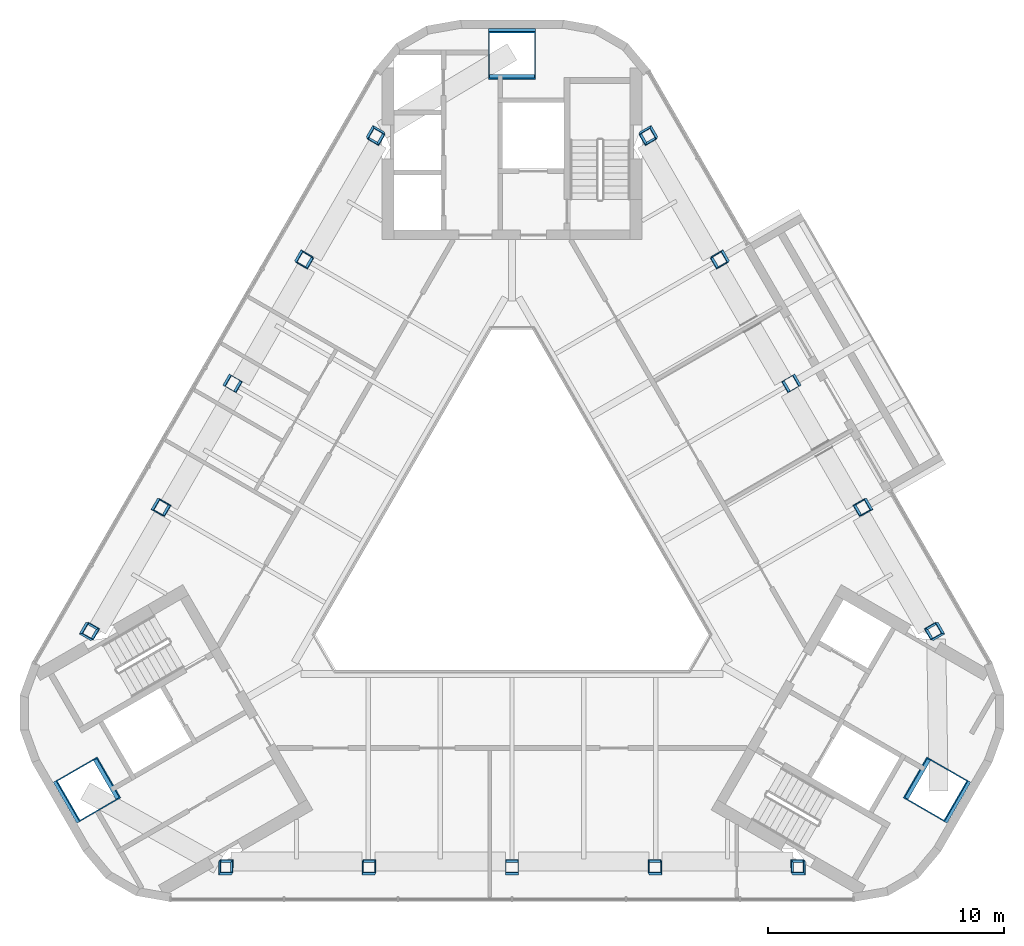
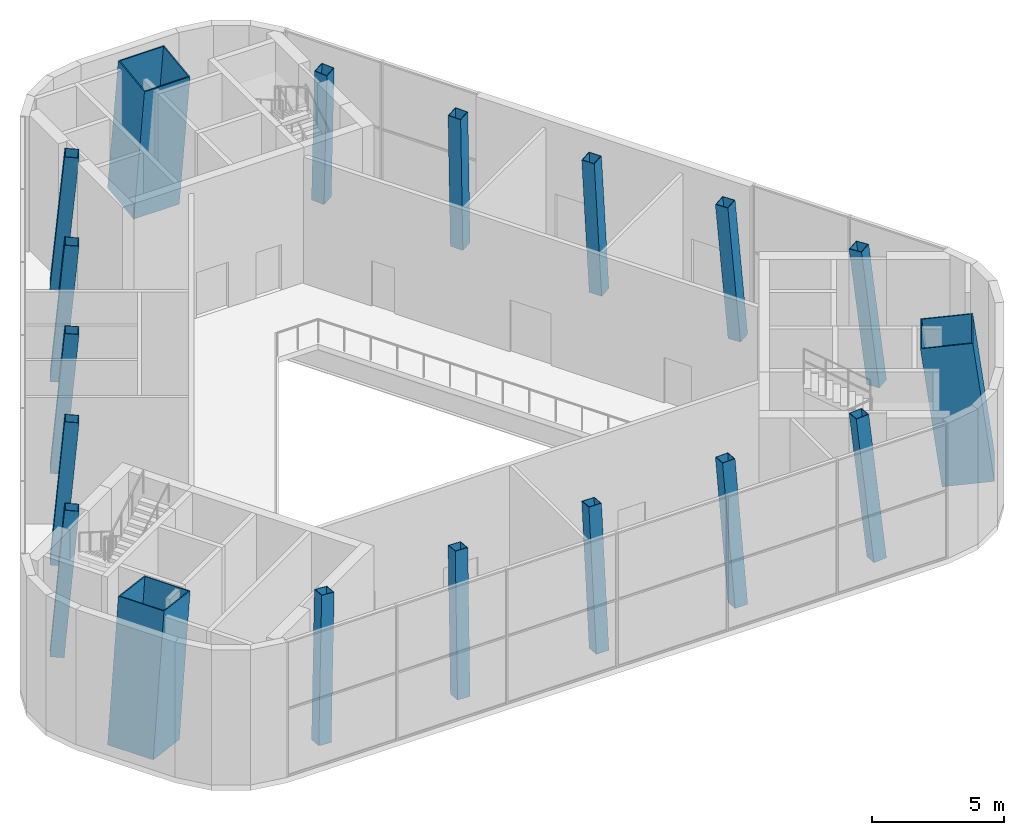
# One storey, part 1 of 12: 18 columns.
"""IFC4 building model written with IfcOpenShell, lengths in metres."""

import ifcopenshell
import ifcopenshell.guid

model = None  # the IFC model being written
_history = None  # IfcOwnerHistory: only IFC2X3 demands one
_inside = {}  # id of a spatial element -> (the spatial element, [elements in it])
_under = {}  # id of a project, library or spatial element -> (it, [spatial elements below it])
_declared = {}  # id of a project -> (the project, [libraries it declares])
_typed = {}  # id of a type object -> (the type object, [elements of that type])
_made_of = {}  # id of a material, layer set ... -> (it, [elements and type objects made of it])


def new_model(schema):
    """Start an empty IFC model of exactly this schema.

    Asked for "IFC4X3", IfcOpenShell would pick the latest addendum, in which some entities
    have other attributes; the version numbers below select the first issue.
    IFC2X3 requires an IfcOwnerHistory on every rooted entity: one is made here for all.
    """
    global model, _history
    if schema == "IFC4X3":
        model = ifcopenshell.file(schema_version=(4, 3, 0, 0))
    else:
        model = ifcopenshell.file(schema=schema)
    _inside.clear()
    _under.clear()
    _declared.clear()
    _typed.clear()
    _made_of.clear()
    _history = None
    if model.schema == "IFC2X3":
        org = make("IfcOrganization", Name="unknown")
        user = make(
            "IfcPersonAndOrganization",
            ThePerson=make("IfcPerson", FamilyName="unknown"),
            TheOrganization=org,
        )
        app = make(
            "IfcApplication",
            ApplicationDeveloper=org,
            Version="unknown",
            ApplicationFullName="unknown",
            ApplicationIdentifier="unknown",
        )
        _history = make(
            "IfcOwnerHistory",
            OwningUser=user,
            OwningApplication=app,
            ChangeAction="ADDED",
            CreationDate=0,
        )
    return model


def make(cls, **values):
    """One entity of the class cls with the attributes given. An attribute that is None is left unset."""
    return model.create_entity(
        cls, **{name: value for name, value in values.items() if value is not None}
    )


def rooted(cls, **values):
    """An entity with a GlobalId (a new one), such as an element, a storey or a relation."""
    return make(cls, GlobalId=ifcopenshell.guid.new(), OwnerHistory=_history, **values)


def si_unit(unit_type, name, prefix=None):
    """IfcSIUnit, for example si_unit("LENGTHUNIT", "METRE", prefix="MILLI")."""
    return make("IfcSIUnit", UnitType=unit_type, Prefix=prefix, Name=name)


def assignment(units):
    """IfcUnitAssignment: the units of a project."""
    return None if units is None else make("IfcUnitAssignment", Units=units)


def point(xyz):
    """IfcCartesianPoint."""
    return None if xyz is None else make("IfcCartesianPoint", Coordinates=xyz)


def direction(xyz):
    """IfcDirection."""
    return None if xyz is None else make("IfcDirection", DirectionRatios=xyz)


def frame(location, z_axis=None, x_axis=None):
    """IfcAxis2Placement3D, a coordinate frame: its origin and axes. An axis left out is left unset."""
    return make(
        "IfcAxis2Placement3D",
        Location=point(location),
        Axis=direction(z_axis),
        RefDirection=direction(x_axis),
    )


def frame_2d(location, x_axis=None):
    """IfcAxis2Placement2D, a coordinate frame in the plane: its origin and x axis."""
    return make(
        "IfcAxis2Placement2D", Location=point(location), RefDirection=direction(x_axis)
    )


def origin():
    """The frame at (0, 0, 0) with its axes left unset."""
    return frame((0.0, 0.0, 0.0))


def origin_2d():
    """The frame at (0, 0) in the plane with its x axis left unset."""
    return frame_2d((0.0, 0.0))


def place(relative_to, where):
    """IfcLocalPlacement: puts the frame where relative to a parent placement (None: the world)."""
    return make(
        "IfcLocalPlacement", PlacementRelTo=relative_to, RelativePlacement=where
    )


def context(
    kind, dimensions, precision=None, world=None, true_north=None, identifier=None
):
    """IfcGeometricRepresentationContext, for example the 3D "Model" context."""
    return make(
        "IfcGeometricRepresentationContext",
        ContextIdentifier=identifier,
        ContextType=kind,
        CoordinateSpaceDimension=dimensions,
        Precision=precision,
        WorldCoordinateSystem=world,
        TrueNorth=true_north,
    )


def subcontext(parent, identifier, kind, view, scale=None):
    """IfcGeometricRepresentationSubContext, for example "Body" below "Model"."""
    return make(
        "IfcGeometricRepresentationSubContext",
        ContextIdentifier=identifier,
        ContextType=kind,
        ParentContext=parent,
        TargetScale=scale,
        TargetView=view,
    )


def project(units=None, contexts=None):
    """IfcProject with its units and contexts."""
    return rooted(
        "IfcProject",
        Name="project",
        RepresentationContexts=contexts,
        UnitsInContext=assignment(units),
    )


def spatial(cls, under=None, at=None, **own):
    """A site, building, storey or space (cls), placed at a placement, below another one or the project."""
    s = rooted(cls, ObjectPlacement=at, **own)
    if under is not None:
        _under.setdefault(under.id(), (under, []))[1].append(s)
    return s


def profile(cls, at=None, kind="AREA", **sizes):
    """A parametric profile (cls). Its sizes go by their IFC names, for example OverallWidth=200.0."""
    return make(cls, ProfileType=kind, Position=at, **sizes)


def rectangle(**sizes):
    """IfcRectangleProfileDef."""
    return profile("IfcRectangleProfileDef", **sizes)


def hollow_rectangle(**sizes):
    """IfcRectangleHollowProfileDef."""
    return profile("IfcRectangleHollowProfileDef", **sizes)


def extrude(swept, where, along, depth):
    """IfcExtrudedAreaSolid: the profile swept, set in the frame where, extruded along a direction by depth."""
    return make(
        "IfcExtrudedAreaSolid",
        SweptArea=swept,
        Position=where,
        ExtrudedDirection=direction(along),
        Depth=depth,
    )


def boolean(op, a, b):
    """IfcBooleanResult of two solids."""
    return make("IfcBooleanResult", Operator=op, FirstOperand=a, SecondOperand=b)


def halfspace(plane, agree):
    """IfcHalfSpaceSolid: all space on one side of the plane z = 0 of the frame plane."""
    return make(
        "IfcHalfSpaceSolid",
        BaseSurface=make("IfcPlane", Position=plane),
        AgreementFlag=agree,
    )


def shape(context_of_items, identifier, shape_type, items):
    """IfcShapeRepresentation: the items that make up one representation, for example the "Body"."""
    return make(
        "IfcShapeRepresentation",
        ContextOfItems=context_of_items,
        RepresentationIdentifier=identifier,
        RepresentationType=shape_type,
        Items=items,
    )


def material(Name=None, Category=None):
    """IfcMaterial."""
    return make("IfcMaterial", Name=Name, Category=Category)


def material_profile(
    of_material, cross_section, Name=None, Category=None, Priority=None
):
    """IfcMaterialProfile: a cross section and its material."""
    return make(
        "IfcMaterialProfile",
        Name=Name,
        Material=of_material,
        Profile=cross_section,
        Priority=Priority,
        Category=Category,
    )


def profile_set(profiles, Name=None, composite=None):
    """IfcMaterialProfileSet."""
    return make(
        "IfcMaterialProfileSet",
        Name=Name,
        MaterialProfiles=profiles,
        CompositeProfile=composite,
    )


def made_of(thing, what):
    """Note that an element or type object is made of a material, layer set ...; save() writes the relation."""
    if what is not None:
        _made_of.setdefault(what.id(), (what, []))[1].append(thing)
    return thing


def type_object(cls, material=None, **own):
    """A type object (cls), such as IfcWallType, which elements share."""
    return made_of(rooted(cls, **own), material)


def element(
    cls,
    number,
    at=None,
    inside=None,
    cuts=None,
    type_object=None,
    material=None,
    context=None,
    identifier="Body",
    shape_type=None,
    held_by="IfcProductDefinitionShape",
    body=None,
    shapes=None,
    **own,
):
    """One element of the class cls, such as IfcWall. Its Tag is "e" and its number.

    at: its placement. inside: the storey or other place that contains it. cuts: it is an
    opening in that element (IfcRelVoidsElement). A single representation is given by context,
    identifier, shape_type and body (its items); several are given by shapes. held_by: the class
    of the entity that holds the representations. save() writes the other relations.
    """
    e = rooted(cls, Tag="e%d" % number, ObjectPlacement=at, **own)
    if body is not None:
        shapes = [shape(context, identifier, shape_type, body)]
    if shapes is not None:
        e.Representation = make(held_by, Representations=shapes)
    if inside is not None:
        _inside.setdefault(inside.id(), (inside, []))[1].append(e)
    if cuts is not None:
        rooted(
            "IfcRelVoidsElement", RelatingBuildingElement=cuts, RelatedOpeningElement=e
        )
    if type_object is not None:
        _typed.setdefault(type_object.id(), (type_object, []))[1].append(e)
    return made_of(e, material)


def aggregate(whole, parts):
    """IfcRelAggregates: a whole, such as a stair, and the parts it consists of."""
    return rooted("IfcRelAggregates", RelatingObject=whole, RelatedObjects=parts)


def save(model, path):
    """Write the relations noted so far, then the file.

    IfcRelAggregates (storeys below a building ...), IfcRelContainedInSpatialStructure (elements
    in a storey), IfcRelDefinesByType, IfcRelAssociatesMaterial and IfcRelDeclares: one each for
    every whole, place, type object, material and project.
    """
    for whole, parts in _under.values():
        aggregate(whole, parts)
    for where, things in _inside.values():
        rooted(
            "IfcRelContainedInSpatialStructure",
            RelatedElements=things,
            RelatingStructure=where,
        )
    for kind, things in _typed.values():
        rooted("IfcRelDefinesByType", RelatedObjects=things, RelatingType=kind)
    for what, things in _made_of.values():
        rooted("IfcRelAssociatesMaterial", RelatedObjects=things, RelatingMaterial=what)
    for by, libraries in _declared.values():
        rooted("IfcRelDeclares", RelatingContext=by, RelatedDefinitions=libraries)
    model.write(path)


model = new_model("IFC4")

# Units and contexts
model_context = context("Model", 3, precision=1e-05, world=origin(), true_north=direction((0.0, 1.0)))
body_context = subcontext(model_context, "Body", "Model", "MODEL_VIEW")
ifc_project = project(units=[si_unit("LENGTHUNIT", "METRE"), si_unit("AREAUNIT", "SQUARE_METRE"), si_unit("VOLUMEUNIT", "CUBIC_METRE"), si_unit("PLANEANGLEUNIT", "RADIAN"), si_unit("MASSUNIT", "GRAM", prefix="KILO")], contexts=[model_context])

# Site, building, storey
site_placement = place(None, origin())
site = spatial("IfcSite", under=ifc_project, at=site_placement, CompositionType="ELEMENT")
building_placement = place(site_placement, origin())
building = spatial("IfcBuilding", under=site, at=building_placement, Name="Apuvela Tower Hotel", CompositionType="ELEMENT")
storey_placement = place(building_placement, frame((0.0, 0.0, 331.800048828125)))
storey = spatial("IfcBuildingStorey", under=building, at=storey_placement, Name="L83", CompositionType="ELEMENT", Elevation=331.800048828125)

# Columns
ifc_material_1 = material(Name="Steel S460", Category="steel")
ifc_material_profile_1 = material_profile(ifc_material_1, hollow_rectangle(XDim=2.0, YDim=2.0, WallThickness=0.050048828125, at=origin_2d()), Name="BOX 2000x2000x50")
ifc_material_2 = material(Name="Concrete C80/95", Category="concrete")
ifc_material_profile_2 = material_profile(ifc_material_2, rectangle(XDim=1.89990234375, YDim=1.89990234375, at=origin_2d()), Name="Concrete C80/95 infill")
ifc_profile_set_1 = profile_set([ifc_material_profile_1, ifc_material_profile_2], Name="Steel S460")
column_type_1 = type_object("IfcColumnType", Name="STR-MC mega column BOX 2000x2000x50", PredefinedType="COLUMN", material=ifc_profile_set_1)
for number, where, z_axis, x_axis, name in (
    (1, (0.0, 20.840087890625, 0.0), (0.0, -0.127225403139, 0.991873831088), (1.0, 0.0, 0.0), "Mega column MC4 N"),
    (2, (-18.048095703125, -10.420166015625, 0.0), (0.110162754727, 0.063631378111, 0.991874596504), (0.5001252871, -0.865953057134, 6.661194e-06), "Mega column MC4 SW"),
    (3, (18.048095703125, -10.420166015625, 0.0), (-0.110162754727, 0.063631378111, 0.991874596504), (-0.5001252871, -0.865953057134, 6.661194e-06), "Mega column MC4 SE"),
):
    element("IfcColumn", number, at=place(storey_placement, frame(where, z_axis=z_axis, x_axis=x_axis)), inside=storey, type_object=column_type_1, Name=name, PredefinedType="COLUMN", context=body_context, shape_type="SweptSolid", body=[
        boolean("DIFFERENCE", boolean("DIFFERENCE", extrude(hollow_rectangle(XDim=2.0, YDim=2.0, WallThickness=0.050048828125, at=origin_2d()), origin(), (0.0, 0.0, 1.0), 6.55322265625), halfspace(frame((0.0, 0.0, 0.049072265625), z_axis=(0.0, 0.0, 1.0), x_axis=(1.0, 0.0, 0.0)), True)), halfspace(frame((0.0, 0.0, 6.4873046875), z_axis=(0.0, 0.0, 1.0), x_axis=(1.0, 0.0, 0.0)), False)),
    ])
ifc_material_profile_3 = material_profile(ifc_material_1, hollow_rectangle(XDim=0.550048828125, YDim=0.550048828125, WallThickness=0.02490234375, at=origin_2d()), Name="BOX 550x550x25")
ifc_material_profile_4 = material_profile(ifc_material_2, rectangle(XDim=0.5, YDim=0.5, at=origin_2d()), Name="Concrete C80/95 infill")
ifc_profile_set_2 = profile_set([ifc_material_profile_3, ifc_material_profile_4], Name="Steel S460")
column_type_2 = type_object("IfcColumnType", Name="STR-PC perimeter column BOX 550x550x25", PredefinedType="COLUMN", material=ifc_profile_set_2)
column_1_placement = place(storey_placement, frame((-12.1484375, -13.693359375, 0.0), z_axis=(0.069800876117, 0.086709858406, 0.993785307875), x_axis=(-0.997556680816, 0.003154583171, 0.069790523453)))
element("IfcColumn", 4, at=column_1_placement, inside=storey, type_object=column_type_2, Name="Perimeter column C7 S1", PredefinedType="COLUMN", context=body_context, shape_type="SweptSolid", body=[
    boolean("DIFFERENCE", boolean("DIFFERENCE", extrude(hollow_rectangle(XDim=0.550048828125, YDim=0.550048828125, WallThickness=0.02490234375, at=origin_2d()), origin(), (0.0, 0.0, 1.0), 6.54052734375), halfspace(frame((0.0, 0.0, 0.01806640625), z_axis=(0.0, 0.0, 1.0), x_axis=(1.0, 0.0, 0.0)), True)), halfspace(frame((0.0, 0.0, 6.516845703125), z_axis=(0.0, 0.0, 1.0), x_axis=(1.0, 0.0, 0.0)), False)),
])
column_2_placement = place(storey_placement, frame((-6.07421875, -13.693359375, 0.0), z_axis=(0.034964378571, 0.086868718097, 0.99560600543), x_axis=(-0.999387519863, 0.001602433283, 0.034957364729)))
element("IfcColumn", 5, at=column_2_placement, inside=storey, type_object=column_type_2, Name="Perimeter column C7 S2", PredefinedType="COLUMN", context=body_context, shape_type="SweptSolid", body=[
    boolean("DIFFERENCE", boolean("DIFFERENCE", extrude(hollow_rectangle(XDim=0.550048828125, YDim=0.550048828125, WallThickness=0.02490234375, at=origin_2d()), origin(), (0.0, 0.0, 1.0), 6.52880859375), halfspace(frame((0.0, 0.0, 0.015625), z_axis=(0.0, 0.0, 1.0), x_axis=(1.0, 0.0, 0.0)), True)), halfspace(frame((0.0, 0.0, 6.508544921875), z_axis=(0.0, 0.0, 1.0), x_axis=(1.0, 0.0, 0.0)), False)),
])
column_3_placement = place(storey_placement, frame((0.0, -13.693359375, 0.0), z_axis=(0.0, 0.086921865673, 0.996215132021), x_axis=(-1.0, 0.0, 0.0)))
element("IfcColumn", 6, at=column_3_placement, inside=storey, type_object=column_type_2, Name="Perimeter column C7 S3", PredefinedType="COLUMN", context=body_context, shape_type="SweptSolid", body=[
    boolean("DIFFERENCE", boolean("DIFFERENCE", extrude(hollow_rectangle(XDim=0.550048828125, YDim=0.550048828125, WallThickness=0.02490234375, at=origin_2d()), origin(), (0.0, 0.0, 1.0), 6.524658203125), halfspace(frame((0.0, 0.0, 0.0146484375), z_axis=(0.0, 0.0, 1.0), x_axis=(1.0, 0.0, 0.0)), True)), halfspace(frame((0.0, 0.0, 6.505859375), z_axis=(0.0, 0.0, 1.0), x_axis=(1.0, 0.0, 0.0)), False)),
])
column_4_placement = place(storey_placement, frame((6.07421875, -13.693359375, 0.0), z_axis=(-0.034964378571, 0.086868718097, 0.99560600543), x_axis=(0.999387519863, 0.001602433283, 0.034957364729)))
element("IfcColumn", 7, at=column_4_placement, inside=storey, type_object=column_type_2, Name="Perimeter column C7 S4", PredefinedType="COLUMN", context=body_context, shape_type="SweptSolid", body=[
    boolean("DIFFERENCE", boolean("DIFFERENCE", extrude(hollow_rectangle(XDim=0.550048828125, YDim=0.550048828125, WallThickness=0.02490234375, at=origin_2d()), origin(), (0.0, 0.0, 1.0), 6.52880859375), halfspace(frame((0.0, 0.0, 0.015625), z_axis=(0.0, 0.0, 1.0), x_axis=(1.0, 0.0, 0.0)), True)), halfspace(frame((0.0, 0.0, 6.508544921875), z_axis=(0.0, 0.0, 1.0), x_axis=(1.0, 0.0, 0.0)), False)),
])
column_5_placement = place(storey_placement, frame((12.1484375, -13.693359375, 0.0), z_axis=(-0.069800876117, 0.086709858406, 0.993785307875), x_axis=(0.997556680816, 0.003154583171, 0.069790523453)))
element("IfcColumn", 8, at=column_5_placement, inside=storey, type_object=column_type_2, Name="Perimeter column C7 S5", PredefinedType="COLUMN", context=body_context, shape_type="SweptSolid", body=[
    boolean("DIFFERENCE", boolean("DIFFERENCE", extrude(hollow_rectangle(XDim=0.550048828125, YDim=0.550048828125, WallThickness=0.02490234375, at=origin_2d()), origin(), (0.0, 0.0, 1.0), 6.54052734375), halfspace(frame((0.0, 0.0, 0.01806640625), z_axis=(0.0, 0.0, 1.0), x_axis=(1.0, 0.0, 0.0)), True)), halfspace(frame((0.0, 0.0, 6.516845703125), z_axis=(0.0, 0.0, 1.0), x_axis=(1.0, 0.0, 0.0)), False)),
])
column_6_placement = place(storey_placement, frame((17.93310546875, -3.67431640625, 0.0), z_axis=(-0.110001598566, 0.017095599641, 0.993784377411), x_axis=(0.496031401637, -0.865495011969, 0.069794217853)))
element("IfcColumn", 9, at=column_6_placement, inside=storey, type_object=column_type_2, Name="Perimeter column C7 NE1", PredefinedType="COLUMN", context=body_context, shape_type="SweptSolid", body=[
    boolean("DIFFERENCE", boolean("DIFFERENCE", extrude(hollow_rectangle(XDim=0.550048828125, YDim=0.550048828125, WallThickness=0.02490234375, at=origin_2d()), origin(), (0.0, 0.0, 1.0), 6.540771484375), halfspace(frame((0.0, 0.0, 0.01806640625), z_axis=(0.0, 0.0, 1.0), x_axis=(1.0, 0.0, 0.0)), True)), halfspace(frame((0.0, 0.0, 6.516845703125), z_axis=(0.0, 0.0, 1.0), x_axis=(1.0, 0.0, 0.0)), False)),
])
column_7_placement = place(storey_placement, frame((14.895751953125, 1.586181640625, 0.0), z_axis=(-0.092702425399, -0.013163071295, 0.995606847043), x_axis=(0.498429944547, -0.86622490994, 0.034957056199)))
element("IfcColumn", 10, at=column_7_placement, inside=storey, type_object=column_type_2, Name="Perimeter column C7 NE2", PredefinedType="COLUMN", context=body_context, shape_type="SweptSolid", body=[
    boolean("DIFFERENCE", boolean("DIFFERENCE", extrude(hollow_rectangle(XDim=0.550048828125, YDim=0.550048828125, WallThickness=0.02490234375, at=origin_2d()), origin(), (0.0, 0.0, 1.0), 6.528564453125), halfspace(frame((0.0, 0.0, 0.015625), z_axis=(0.0, 0.0, 1.0), x_axis=(1.0, 0.0, 0.0)), True)), halfspace(frame((0.0, 0.0, 6.508544921875), z_axis=(0.0, 0.0, 1.0), x_axis=(1.0, 0.0, 0.0)), False)),
])
column_8_placement = place(storey_placement, frame((11.858642578125, 6.8466796875, 0.0), z_axis=(-0.075247573053, -0.043479701585, 0.99621650172), x_axis=(0.500351454226, -0.865822396472, 4.550396e-06)))
element("IfcColumn", 11, at=column_8_placement, inside=storey, type_object=column_type_2, Name="Perimeter column C7 NE3", PredefinedType="COLUMN", context=body_context, shape_type="SweptSolid", body=[
    boolean("DIFFERENCE", boolean("DIFFERENCE", extrude(hollow_rectangle(XDim=0.550048828125, YDim=0.550048828125, WallThickness=0.02490234375, at=origin_2d()), origin(), (0.0, 0.0, 1.0), 6.524658203125), halfspace(frame((0.0, 0.0, 0.0146484375), z_axis=(0.0, 0.0, 1.0), x_axis=(1.0, 0.0, 0.0)), True)), halfspace(frame((0.0, 0.0, 6.505859375), z_axis=(0.0, 0.0, 1.0), x_axis=(1.0, 0.0, 0.0)), False)),
])
column_9_placement = place(storey_placement, frame((8.821533203125, 12.107177734375, 0.0), z_axis=(-0.057738040202, -0.073705749506, 0.995607242442), x_axis=(-0.501061537175, 0.864705350939, 0.034957002453)))
element("IfcColumn", 12, at=column_9_placement, inside=storey, type_object=column_type_2, Name="Perimeter column C7 NE4", PredefinedType="COLUMN", context=body_context, shape_type="SweptSolid", body=[
    boolean("DIFFERENCE", boolean("DIFFERENCE", extrude(hollow_rectangle(XDim=0.550048828125, YDim=0.550048828125, WallThickness=0.02490234375, at=origin_2d()), origin(), (0.0, 0.0, 1.0), 6.528564453125), halfspace(frame((0.0, 0.0, 0.015625), z_axis=(0.0, 0.0, 1.0), x_axis=(1.0, 0.0, 0.0)), True)), halfspace(frame((0.0, 0.0, 6.508544921875), z_axis=(0.0, 0.0, 1.0), x_axis=(1.0, 0.0, 0.0)), False)),
])
for number, where, z_axis, x_axis, name in (
    (13, (5.784423828125, 17.367431640625, 0.0), (-0.04020096267, -0.1037685016, 0.993788700216), (-0.501318150771, 0.862445141844, 0.069774558517), "Perimeter column C7 NE5"),
    (14, (-5.784423828125, 17.367431640625, 0.0), (0.04020096267, -0.1037685016, 0.993788700216), (0.501318150771, 0.862445141844, 0.069774558517), "Perimeter column C7 NW1"),
):
    element("IfcColumn", number, at=place(storey_placement, frame(where, z_axis=z_axis, x_axis=x_axis)), inside=storey, type_object=column_type_2, Name=name, PredefinedType="COLUMN", context=body_context, shape_type="SweptSolid", body=[
        boolean("DIFFERENCE", boolean("DIFFERENCE", extrude(hollow_rectangle(XDim=0.550048828125, YDim=0.550048828125, WallThickness=0.02490234375, at=origin_2d()), origin(), (0.0, 0.0, 1.0), 6.54052734375), halfspace(frame((0.0, 0.0, 0.01806640625), z_axis=(0.0, 0.0, 1.0), x_axis=(1.0, 0.0, 0.0)), True)), halfspace(frame((0.0, 0.0, 6.516845703125), z_axis=(0.0, 0.0, 1.0), x_axis=(1.0, 0.0, 0.0)), False)),
    ])
column_10_placement = place(storey_placement, frame((-8.821533203125, 12.107177734375, 0.0), z_axis=(0.057738040202, -0.073705749506, 0.995607242442), x_axis=(0.501061537175, 0.864705350939, 0.034957002453)))
element("IfcColumn", 15, at=column_10_placement, inside=storey, type_object=column_type_2, Name="Perimeter column C7 NW2", PredefinedType="COLUMN", context=body_context, shape_type="SweptSolid", body=[
    boolean("DIFFERENCE", boolean("DIFFERENCE", extrude(hollow_rectangle(XDim=0.550048828125, YDim=0.550048828125, WallThickness=0.02490234375, at=origin_2d()), origin(), (0.0, 0.0, 1.0), 6.528564453125), halfspace(frame((0.0, 0.0, 0.015625), z_axis=(0.0, 0.0, 1.0), x_axis=(1.0, 0.0, 0.0)), True)), halfspace(frame((0.0, 0.0, 6.508544921875), z_axis=(0.0, 0.0, 1.0), x_axis=(1.0, 0.0, 0.0)), False)),
])
column_11_placement = place(storey_placement, frame((-11.858642578125, 6.8466796875, 0.0), z_axis=(0.075247573053, -0.043479701585, 0.99621650172), x_axis=(-0.500351454226, -0.865822396472, 4.550396e-06)))
element("IfcColumn", 16, at=column_11_placement, inside=storey, type_object=column_type_2, Name="Perimeter column C7 NW3", PredefinedType="COLUMN", context=body_context, shape_type="SweptSolid", body=[
    boolean("DIFFERENCE", boolean("DIFFERENCE", extrude(hollow_rectangle(XDim=0.550048828125, YDim=0.550048828125, WallThickness=0.02490234375, at=origin_2d()), origin(), (0.0, 0.0, 1.0), 6.524658203125), halfspace(frame((0.0, 0.0, 0.0146484375), z_axis=(0.0, 0.0, 1.0), x_axis=(1.0, 0.0, 0.0)), True)), halfspace(frame((0.0, 0.0, 6.505859375), z_axis=(0.0, 0.0, 1.0), x_axis=(1.0, 0.0, 0.0)), False)),
])
column_12_placement = place(storey_placement, frame((-14.895751953125, 1.586181640625, 0.0), z_axis=(0.092702425399, -0.013163071295, 0.995606847043), x_axis=(-0.498429944547, -0.86622490994, 0.034957056199)))
element("IfcColumn", 17, at=column_12_placement, inside=storey, type_object=column_type_2, Name="Perimeter column C7 NW4", PredefinedType="COLUMN", context=body_context, shape_type="SweptSolid", body=[
    boolean("DIFFERENCE", boolean("DIFFERENCE", extrude(hollow_rectangle(XDim=0.550048828125, YDim=0.550048828125, WallThickness=0.02490234375, at=origin_2d()), origin(), (0.0, 0.0, 1.0), 6.528564453125), halfspace(frame((0.0, 0.0, 0.015625), z_axis=(0.0, 0.0, 1.0), x_axis=(1.0, 0.0, 0.0)), True)), halfspace(frame((0.0, 0.0, 6.508544921875), z_axis=(0.0, 0.0, 1.0), x_axis=(1.0, 0.0, 0.0)), False)),
])
column_13_placement = place(storey_placement, frame((-17.93310546875, -3.67431640625, 0.0), z_axis=(0.110001598566, 0.017095599641, 0.993784377411), x_axis=(-0.496031401637, -0.865495011969, 0.069794217853)))
element("IfcColumn", 18, at=column_13_placement, inside=storey, type_object=column_type_2, Name="Perimeter column C7 NW5", PredefinedType="COLUMN", context=body_context, shape_type="SweptSolid", body=[
    boolean("DIFFERENCE", boolean("DIFFERENCE", extrude(hollow_rectangle(XDim=0.550048828125, YDim=0.550048828125, WallThickness=0.02490234375, at=origin_2d()), origin(), (0.0, 0.0, 1.0), 6.540771484375), halfspace(frame((0.0, 0.0, 0.01806640625), z_axis=(0.0, 0.0, 1.0), x_axis=(1.0, 0.0, 0.0)), True)), halfspace(frame((0.0, 0.0, 6.516845703125), z_axis=(0.0, 0.0, 1.0), x_axis=(1.0, 0.0, 0.0)), False)),
])

save(model, "model.ifc")
